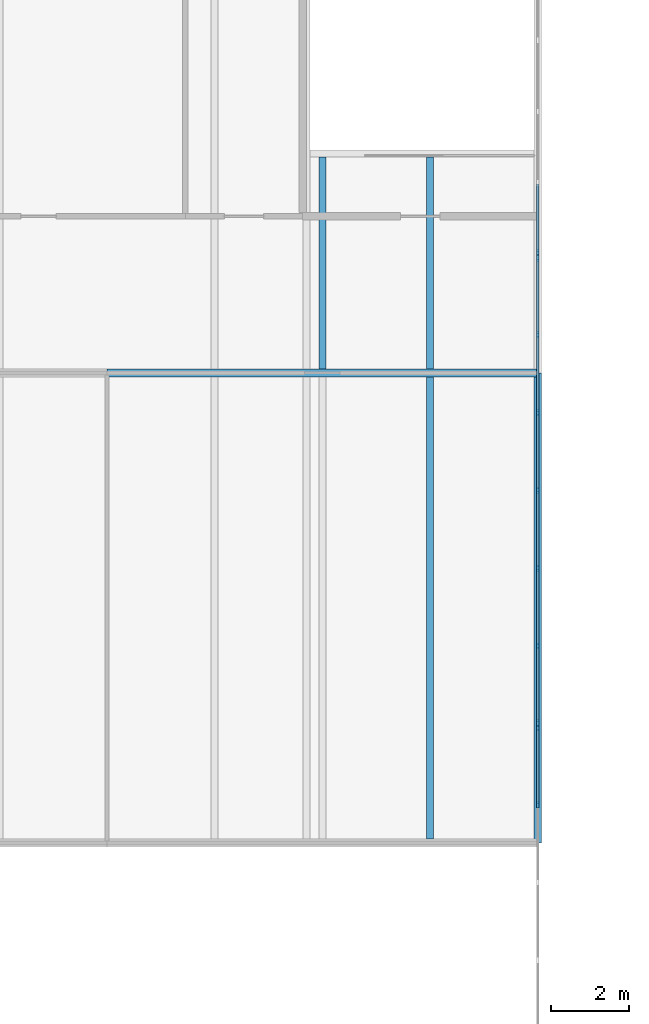
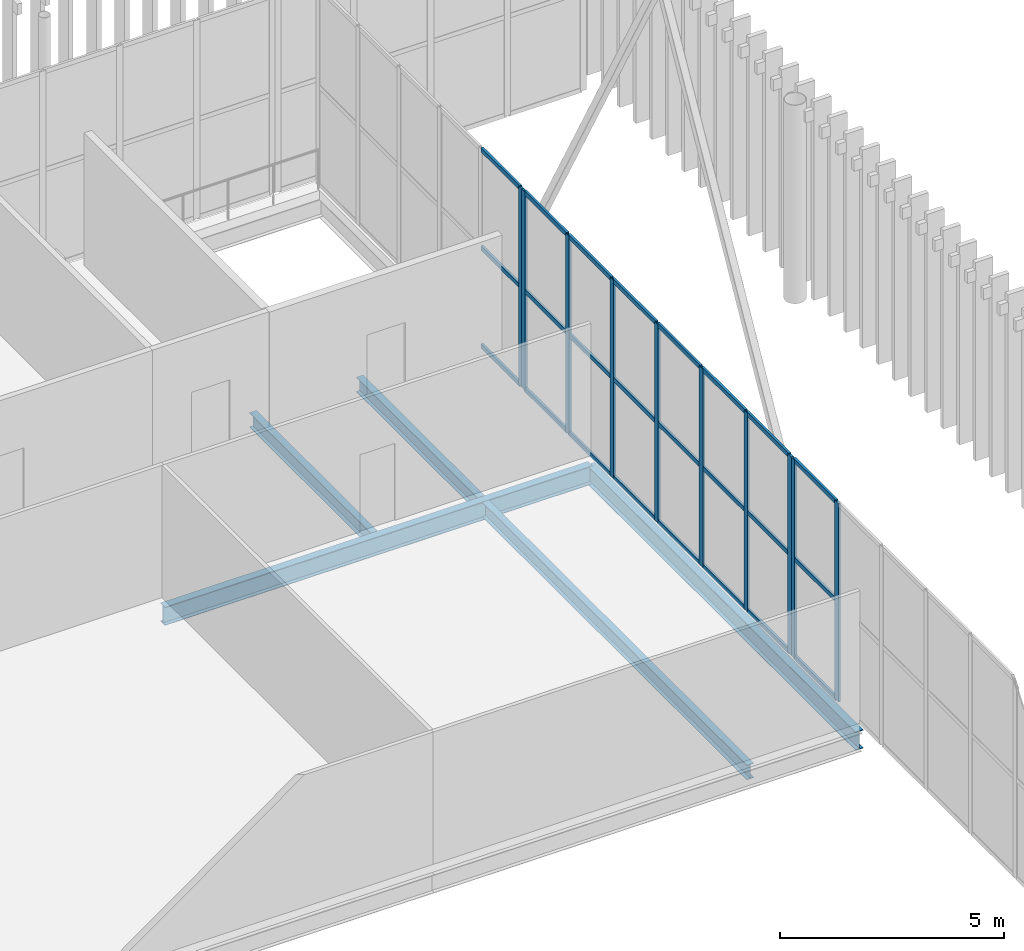
# One storey, part 73 of 170: 34 members, 5 beams, 3 elements without a shape of their own.
"""IFC4 building model written with IfcOpenShell, lengths in metres."""

from ifc_helpers import new_model, si_unit, direction, frame, origin, origin_2d, place, context, subcontext, project, spatial, rectangle, i_section, extrude, material, layer, layer_set, material_profile, profile_set, type_object, element, aggregate, save


model = new_model("IFC4")

# Units and contexts
model_context = context("Model", 3, precision=1e-05, world=origin(), true_north=direction((0.0, 1.0)))
body_context = subcontext(model_context, "Body", "Model", "MODEL_VIEW")
ifc_project = project(units=[si_unit("LENGTHUNIT", "METRE"), si_unit("AREAUNIT", "SQUARE_METRE"), si_unit("VOLUMEUNIT", "CUBIC_METRE"), si_unit("PLANEANGLEUNIT", "RADIAN"), si_unit("MASSUNIT", "GRAM", prefix="KILO")], contexts=[model_context])

# Site, building, storey
site_placement = place(None, origin())
site = spatial("IfcSite", under=ifc_project, at=site_placement, CompositionType="ELEMENT")
building_placement = place(site_placement, origin())
building = spatial("IfcBuilding", under=site, at=building_placement, Name="Ravi Spectrum Wholesale Market", CompositionType="ELEMENT")
storey_placement = place(building_placement, frame((0.0, 0.0, 5.39990234375)))
storey = spatial("IfcBuildingStorey", under=building, at=storey_placement, Name="L01", CompositionType="ELEMENT", Elevation=5.39990234375)

# Beams
ifc_material_1 = material(Name="Steel S355", Category="steel")
ifc_material_profile_1 = material_profile(ifc_material_1, i_section(OverallWidth=0.179931640625, OverallDepth=0.39990234375, WebThickness=0.008544921875, FlangeThickness=0.013427734375, at=origin_2d()))
ifc_profile_set_1 = profile_set([ifc_material_profile_1], Name="Steel S355")
beam_type_1 = type_object("IfcBeamType", Name="IPE 400 beam", PredefinedType="BEAM", material=ifc_profile_set_1)
beam_1_placement = place(storey_placement, frame((97.5, 183.10009765625, -0.449951171875), z_axis=(0.0, 1.0, 0.0), x_axis=(-1.0, 0.0, 0.0)))
element("IfcBeam", 1, at=beam_1_placement, inside=storey, type_object=beam_type_1, Name="H1-BM-L01-066", PredefinedType="BEAM", context=body_context, shape_type="SweptSolid", body=[
    extrude(i_section(OverallWidth=0.179931640625, OverallDepth=0.39990234375, WebThickness=0.008544921875, FlangeThickness=0.013427734375, at=origin_2d()), origin(), (0.0, 0.0, 1.0), 5.409912109375),
])
beam_2_placement = place(storey_placement, frame((100.25, 171.10009765625, -0.449951171875), z_axis=(0.0, 1.0, 0.0), x_axis=(-1.0, 0.0, 0.0)))
element("IfcBeam", 2, at=beam_2_placement, inside=storey, type_object=beam_type_1, Name="H1-BM-L01-067", PredefinedType="BEAM", context=body_context, shape_type="SweptSolid", body=[
    extrude(i_section(OverallWidth=0.179931640625, OverallDepth=0.39990234375, WebThickness=0.008544921875, FlangeThickness=0.013427734375, at=origin_2d()), origin(), (0.0, 0.0, 1.0), 11.7998046875),
])
beam_3_placement = place(storey_placement, frame((100.25, 183.10009765625, -0.449951171875), z_axis=(0.0, 1.0, 0.0), x_axis=(-1.0, 0.0, 0.0)))
element("IfcBeam", 3, at=beam_3_placement, inside=storey, type_object=beam_type_1, Name="H1-BM-L01-068", PredefinedType="BEAM", context=body_context, shape_type="SweptSolid", body=[
    extrude(i_section(OverallWidth=0.179931640625, OverallDepth=0.39990234375, WebThickness=0.008544921875, FlangeThickness=0.013427734375, at=origin_2d()), origin(), (0.0, 0.0, 1.0), 5.409912109375),
])
ifc_material_2 = material(Name="Steel S355", Category="steel")
ifc_material_profile_2 = material_profile(ifc_material_2, i_section(OverallWidth=0.199951171875, OverallDepth=0.5, WebThickness=0.01025390625, FlangeThickness=0.01611328125, at=origin_2d()))
ifc_profile_set_2 = profile_set([ifc_material_profile_2], Name="Steel S355")
beam_type_2 = type_object("IfcBeamType", Name="IPE 500 girder", PredefinedType="BEAM", material=ifc_profile_set_2)
beam_4_placement = place(storey_placement, frame((92.0, 183.0, -0.5), z_axis=(1.0, 0.0, 0.0), x_axis=(0.0, 1.0, 0.0)))
element("IfcBeam", 4, at=beam_4_placement, inside=storey, type_object=beam_type_2, Name="H1-BM-L01-012", PredefinedType="BEAM", context=body_context, shape_type="SweptSolid", body=[
    extrude(i_section(OverallWidth=0.199951171875, OverallDepth=0.5, WebThickness=0.01025390625, FlangeThickness=0.01611328125, at=origin_2d()), origin(), (0.0, 0.0, 1.0), 11.0),
])
beam_5_placement = place(storey_placement, frame((103.0, 171.0, -0.5), z_axis=(0.0, 1.0, 0.0), x_axis=(-1.0, 0.0, 0.0)))
element("IfcBeam", 5, at=beam_5_placement, inside=storey, type_object=beam_type_2, Name="H1-BM-L01-021", PredefinedType="BEAM", context=body_context, shape_type="SweptSolid", body=[
    extrude(i_section(OverallWidth=0.199951171875, OverallDepth=0.5, WebThickness=0.01025390625, FlangeThickness=0.01611328125, at=origin_2d()), origin(), (0.0, 0.0, 1.0), 12.0),
])

# Curtain wall, members
ifc_material_3 = material(Name="Aluminium 6063-T6", Category="aluminium")
ifc_layer = layer(ifc_material_3, 0.14990234375)
ifc_layer_set = layer_set([ifc_layer], Name="Aluminium 6063-T6")
curtain_wall_type = type_object("IfcCurtainWallType", Name="Curtain wall 150", PredefinedType="NOTDEFINED", material=ifc_layer_set)
curtain_wall_1_placement = place(storey_placement, origin())
curtain_wall_1 = element("IfcCurtainWall", 6, at=curtain_wall_1_placement, inside=storey, type_object=curtain_wall_type, Name="H1-CW-L01-026", PredefinedType="NOTDEFINED")
ifc_material_4 = material(Name="Aluminium 6063-T6", Category="aluminium")
ifc_material_profile_3 = material_profile(ifc_material_4, rectangle(XDim=0.06005859375, YDim=0.159912109375, at=origin_2d()))
ifc_profile_set_3 = profile_set([ifc_material_profile_3], Name="Aluminium 6063-T6")
member_type_1 = type_object("IfcMemberType", Name="Mullion 60 x 160", PredefinedType="MULLION", material=ifc_profile_set_3)
member_1_placement = place(storey_placement, frame((103.0, 171.973388671875, 0.0), z_axis=(0.0, 0.0, 1.0), x_axis=(-1.0, 0.0, 0.0)))
member_1 = element("IfcMember", 7, at=member_1_placement, type_object=member_type_1, Name="H1-CW-L01-026 mullion 6", PredefinedType="MULLION", context=body_context, shape_type="SweptSolid", body=[
    extrude(rectangle(XDim=0.06005859375, YDim=0.159912109375, at=origin_2d()), origin(), (0.0, 0.0, 1.0), 5.400146484375),
])
member_2_placement = place(storey_placement, frame((103.0, 173.929931640625, 0.0), z_axis=(0.0, 0.0, 1.0), x_axis=(-1.0, 0.0, 0.0)))
member_2 = element("IfcMember", 8, at=member_2_placement, type_object=member_type_1, Name="H1-CW-L01-026 mullion 7", PredefinedType="MULLION", context=body_context, shape_type="SweptSolid", body=[
    extrude(rectangle(XDim=0.06005859375, YDim=0.159912109375, at=origin_2d()), origin(), (0.0, 0.0, 1.0), 5.400146484375),
])

curtain_wall_2_placement = place(storey_placement, origin())
curtain_wall_2 = element("IfcCurtainWall", 9, at=curtain_wall_2_placement, inside=storey, type_object=curtain_wall_type, Name="H1-CW-L01-027", PredefinedType="NOTDEFINED")
member_3_placement = place(storey_placement, frame((103.0, 174.070068359375, 0.0), z_axis=(0.0, 0.0, 1.0), x_axis=(-1.0, 0.0, 0.0)))
member_3 = element("IfcMember", 10, at=member_3_placement, type_object=member_type_1, Name="H1-CW-L01-027 mullion 1", PredefinedType="MULLION", context=body_context, shape_type="SweptSolid", body=[
    extrude(rectangle(XDim=0.06005859375, YDim=0.159912109375, at=origin_2d()), origin(), (0.0, 0.0, 1.0), 5.400146484375),
])
member_4_placement = place(storey_placement, frame((103.0, 176.026611328125, 0.0), z_axis=(0.0, 0.0, 1.0), x_axis=(-1.0, 0.0, 0.0)))
member_4 = element("IfcMember", 11, at=member_4_placement, type_object=member_type_1, Name="H1-CW-L01-027 mullion 2", PredefinedType="MULLION", context=body_context, shape_type="SweptSolid", body=[
    extrude(rectangle(XDim=0.06005859375, YDim=0.159912109375, at=origin_2d()), origin(), (0.0, 0.0, 1.0), 5.400146484375),
])
member_5_placement = place(storey_placement, frame((103.0, 178.013427734375, 0.0), z_axis=(0.0, 0.0, 1.0), x_axis=(-1.0, 0.0, 0.0)))
member_5 = element("IfcMember", 12, at=member_5_placement, type_object=member_type_1, Name="H1-CW-L01-027 mullion 3", PredefinedType="MULLION", context=body_context, shape_type="SweptSolid", body=[
    extrude(rectangle(XDim=0.06005859375, YDim=0.159912109375, at=origin_2d()), origin(), (0.0, 0.0, 1.0), 5.400146484375),
])
member_6_placement = place(storey_placement, frame((103.0, 180.0, 0.0), z_axis=(0.0, 0.0, 1.0), x_axis=(-1.0, 0.0, 0.0)))
member_6 = element("IfcMember", 13, at=member_6_placement, type_object=member_type_1, Name="H1-CW-L01-027 mullion 4", PredefinedType="MULLION", context=body_context, shape_type="SweptSolid", body=[
    extrude(rectangle(XDim=0.06005859375, YDim=0.159912109375, at=origin_2d()), origin(), (0.0, 0.0, 1.0), 5.400146484375),
])
member_7_placement = place(storey_placement, frame((103.0, 181.986572265625, 0.0), z_axis=(0.0, 0.0, 1.0), x_axis=(-1.0, 0.0, 0.0)))
member_7 = element("IfcMember", 14, at=member_7_placement, type_object=member_type_1, Name="H1-CW-L01-027 mullion 5", PredefinedType="MULLION", context=body_context, shape_type="SweptSolid", body=[
    extrude(rectangle(XDim=0.06005859375, YDim=0.159912109375, at=origin_2d()), origin(), (0.0, 0.0, 1.0), 5.400146484375),
])
member_8_placement = place(storey_placement, frame((103.0, 183.973388671875, 0.0), z_axis=(0.0, 0.0, 1.0), x_axis=(-1.0, 0.0, 0.0)))
member_8 = element("IfcMember", 15, at=member_8_placement, type_object=member_type_1, Name="H1-CW-L01-027 mullion 6", PredefinedType="MULLION", context=body_context, shape_type="SweptSolid", body=[
    extrude(rectangle(XDim=0.06005859375, YDim=0.159912109375, at=origin_2d()), origin(), (0.0, 0.0, 1.0), 5.400146484375),
])
member_9_placement = place(storey_placement, frame((103.0, 185.929931640625, 0.0), z_axis=(0.0, 0.0, 1.0), x_axis=(-1.0, 0.0, 0.0)))
member_9 = element("IfcMember", 16, at=member_9_placement, type_object=member_type_1, Name="H1-CW-L01-027 mullion 7", PredefinedType="MULLION", context=body_context, shape_type="SweptSolid", body=[
    extrude(rectangle(XDim=0.06005859375, YDim=0.159912109375, at=origin_2d()), origin(), (0.0, 0.0, 1.0), 5.400146484375),
])

# Curtain wall, member
curtain_wall_3_placement = place(storey_placement, origin())
curtain_wall_3 = element("IfcCurtainWall", 17, at=curtain_wall_3_placement, inside=storey, type_object=curtain_wall_type, Name="H1-CW-L01-028", PredefinedType="NOTDEFINED")
member_10_placement = place(storey_placement, frame((103.0, 186.070068359375, 0.0), z_axis=(0.0, 0.0, 1.0), x_axis=(-1.0, 0.0, 0.0)))
member_10 = element("IfcMember", 18, at=member_10_placement, type_object=member_type_1, Name="H1-CW-L01-028 mullion 1", PredefinedType="MULLION", context=body_context, shape_type="SweptSolid", body=[
    extrude(rectangle(XDim=0.06005859375, YDim=0.159912109375, at=origin_2d()), origin(), (0.0, 0.0, 1.0), 5.400146484375),
])

# Member
ifc_material_5 = material(Name="Aluminium 6063-T6", Category="aluminium")
ifc_material_profile_4 = material_profile(ifc_material_5, rectangle(XDim=0.06005859375, YDim=0.1201171875, at=origin_2d()))
ifc_profile_set_4 = profile_set([ifc_material_profile_4], Name="Aluminium 6063-T6")
member_type_2 = type_object("IfcMemberType", Name="Transom 60 x 120", PredefinedType="USERDEFINED", material=ifc_profile_set_4)
member_11_placement = place(storey_placement, frame((103.0, 172.00341796875, 0.030029296875), z_axis=(0.0, 1.0, 0.0), x_axis=(-1.0, 0.0, 0.0)))
member_11 = element("IfcMember", 19, at=member_11_placement, type_object=member_type_2, Name="H1-CW-L01-026 transom 6.1", ObjectType="TRANSOM", PredefinedType="USERDEFINED", context=body_context, shape_type="SweptSolid", body=[
    extrude(rectangle(XDim=0.06005859375, YDim=0.1201171875, at=origin_2d()), origin(), (0.0, 0.0, 1.0), 1.896484375),
])

member_12_placement = place(storey_placement, frame((103.0, 172.00341796875, 2.7001953125), z_axis=(0.0, 1.0, 0.0), x_axis=(-1.0, 0.0, 0.0)))
member_12 = element("IfcMember", 20, at=member_12_placement, type_object=member_type_2, Name="H1-CW-L01-026 transom 6.2", ObjectType="TRANSOM", PredefinedType="USERDEFINED", context=body_context, shape_type="SweptSolid", body=[
    extrude(rectangle(XDim=0.06005859375, YDim=0.1201171875, at=origin_2d()), origin(), (0.0, 0.0, 1.0), 1.896484375),
])

member_13_placement = place(storey_placement, frame((103.0, 172.00341796875, 5.3701171875), z_axis=(0.0, 1.0, 0.0), x_axis=(-1.0, 0.0, 0.0)))
member_13 = element("IfcMember", 21, at=member_13_placement, type_object=member_type_2, Name="H1-CW-L01-026 transom 6.3", ObjectType="TRANSOM", PredefinedType="USERDEFINED", context=body_context, shape_type="SweptSolid", body=[
    extrude(rectangle(XDim=0.06005859375, YDim=0.1201171875, at=origin_2d()), origin(), (0.0, 0.0, 1.0), 1.896484375),
])

aggregate(curtain_wall_1, [member_1, member_2, member_11, member_12, member_13])

member_14_placement = place(storey_placement, frame((103.0, 174.10009765625, 0.030029296875), z_axis=(0.0, 1.0, 0.0), x_axis=(-1.0, 0.0, 0.0)))
member_14 = element("IfcMember", 22, at=member_14_placement, type_object=member_type_2, Name="H1-CW-L01-027 transom 1.1", ObjectType="TRANSOM", PredefinedType="USERDEFINED", context=body_context, shape_type="SweptSolid", body=[
    extrude(rectangle(XDim=0.06005859375, YDim=0.1201171875, at=origin_2d()), origin(), (0.0, 0.0, 1.0), 1.896484375),
])

member_15_placement = place(storey_placement, frame((103.0, 174.10009765625, 2.7001953125), z_axis=(0.0, 1.0, 0.0), x_axis=(-1.0, 0.0, 0.0)))
member_15 = element("IfcMember", 23, at=member_15_placement, type_object=member_type_2, Name="H1-CW-L01-027 transom 1.2", ObjectType="TRANSOM", PredefinedType="USERDEFINED", context=body_context, shape_type="SweptSolid", body=[
    extrude(rectangle(XDim=0.06005859375, YDim=0.1201171875, at=origin_2d()), origin(), (0.0, 0.0, 1.0), 1.896484375),
])

member_16_placement = place(storey_placement, frame((103.0, 174.10009765625, 5.3701171875), z_axis=(0.0, 1.0, 0.0), x_axis=(-1.0, 0.0, 0.0)))
member_16 = element("IfcMember", 24, at=member_16_placement, type_object=member_type_2, Name="H1-CW-L01-027 transom 1.3", ObjectType="TRANSOM", PredefinedType="USERDEFINED", context=body_context, shape_type="SweptSolid", body=[
    extrude(rectangle(XDim=0.06005859375, YDim=0.1201171875, at=origin_2d()), origin(), (0.0, 0.0, 1.0), 1.896484375),
])

member_17_placement = place(storey_placement, frame((103.0, 176.056640625, 0.030029296875), z_axis=(0.0, 1.0, 0.0), x_axis=(-1.0, 0.0, 0.0)))
member_17 = element("IfcMember", 25, at=member_17_placement, type_object=member_type_2, Name="H1-CW-L01-027 transom 2.1", ObjectType="TRANSOM", PredefinedType="USERDEFINED", context=body_context, shape_type="SweptSolid", body=[
    extrude(rectangle(XDim=0.06005859375, YDim=0.1201171875, at=origin_2d()), origin(), (0.0, 0.0, 1.0), 1.9267578125),
])

member_18_placement = place(storey_placement, frame((103.0, 176.056640625, 2.7001953125), z_axis=(0.0, 1.0, 0.0), x_axis=(-1.0, 0.0, 0.0)))
member_18 = element("IfcMember", 26, at=member_18_placement, type_object=member_type_2, Name="H1-CW-L01-027 transom 2.2", ObjectType="TRANSOM", PredefinedType="USERDEFINED", context=body_context, shape_type="SweptSolid", body=[
    extrude(rectangle(XDim=0.06005859375, YDim=0.1201171875, at=origin_2d()), origin(), (0.0, 0.0, 1.0), 1.9267578125),
])

member_19_placement = place(storey_placement, frame((103.0, 176.056640625, 5.3701171875), z_axis=(0.0, 1.0, 0.0), x_axis=(-1.0, 0.0, 0.0)))
member_19 = element("IfcMember", 27, at=member_19_placement, type_object=member_type_2, Name="H1-CW-L01-027 transom 2.3", ObjectType="TRANSOM", PredefinedType="USERDEFINED", context=body_context, shape_type="SweptSolid", body=[
    extrude(rectangle(XDim=0.06005859375, YDim=0.1201171875, at=origin_2d()), origin(), (0.0, 0.0, 1.0), 1.9267578125),
])

member_20_placement = place(storey_placement, frame((103.0, 178.043212890625, 0.030029296875), z_axis=(0.0, 1.0, 0.0), x_axis=(-1.0, 0.0, 0.0)))
member_20 = element("IfcMember", 28, at=member_20_placement, type_object=member_type_2, Name="H1-CW-L01-027 transom 3.1", ObjectType="TRANSOM", PredefinedType="USERDEFINED", context=body_context, shape_type="SweptSolid", body=[
    extrude(rectangle(XDim=0.06005859375, YDim=0.1201171875, at=origin_2d()), origin(), (0.0, 0.0, 1.0), 1.9267578125),
])

member_21_placement = place(storey_placement, frame((103.0, 178.043212890625, 2.7001953125), z_axis=(0.0, 1.0, 0.0), x_axis=(-1.0, 0.0, 0.0)))
member_21 = element("IfcMember", 29, at=member_21_placement, type_object=member_type_2, Name="H1-CW-L01-027 transom 3.2", ObjectType="TRANSOM", PredefinedType="USERDEFINED", context=body_context, shape_type="SweptSolid", body=[
    extrude(rectangle(XDim=0.06005859375, YDim=0.1201171875, at=origin_2d()), origin(), (0.0, 0.0, 1.0), 1.9267578125),
])

member_22_placement = place(storey_placement, frame((103.0, 178.043212890625, 5.3701171875), z_axis=(0.0, 1.0, 0.0), x_axis=(-1.0, 0.0, 0.0)))
member_22 = element("IfcMember", 30, at=member_22_placement, type_object=member_type_2, Name="H1-CW-L01-027 transom 3.3", ObjectType="TRANSOM", PredefinedType="USERDEFINED", context=body_context, shape_type="SweptSolid", body=[
    extrude(rectangle(XDim=0.06005859375, YDim=0.1201171875, at=origin_2d()), origin(), (0.0, 0.0, 1.0), 1.9267578125),
])

member_23_placement = place(storey_placement, frame((103.0, 180.030029296875, 0.030029296875), z_axis=(0.0, 1.0, 0.0), x_axis=(-1.0, 0.0, 0.0)))
member_23 = element("IfcMember", 31, at=member_23_placement, type_object=member_type_2, Name="H1-CW-L01-027 transom 4.1", ObjectType="TRANSOM", PredefinedType="USERDEFINED", context=body_context, shape_type="SweptSolid", body=[
    extrude(rectangle(XDim=0.06005859375, YDim=0.1201171875, at=origin_2d()), origin(), (0.0, 0.0, 1.0), 1.9267578125),
])

member_24_placement = place(storey_placement, frame((103.0, 180.030029296875, 2.7001953125), z_axis=(0.0, 1.0, 0.0), x_axis=(-1.0, 0.0, 0.0)))
member_24 = element("IfcMember", 32, at=member_24_placement, type_object=member_type_2, Name="H1-CW-L01-027 transom 4.2", ObjectType="TRANSOM", PredefinedType="USERDEFINED", context=body_context, shape_type="SweptSolid", body=[
    extrude(rectangle(XDim=0.06005859375, YDim=0.1201171875, at=origin_2d()), origin(), (0.0, 0.0, 1.0), 1.9267578125),
])

member_25_placement = place(storey_placement, frame((103.0, 180.030029296875, 5.3701171875), z_axis=(0.0, 1.0, 0.0), x_axis=(-1.0, 0.0, 0.0)))
member_25 = element("IfcMember", 33, at=member_25_placement, type_object=member_type_2, Name="H1-CW-L01-027 transom 4.3", ObjectType="TRANSOM", PredefinedType="USERDEFINED", context=body_context, shape_type="SweptSolid", body=[
    extrude(rectangle(XDim=0.06005859375, YDim=0.1201171875, at=origin_2d()), origin(), (0.0, 0.0, 1.0), 1.9267578125),
])

member_26_placement = place(storey_placement, frame((103.0, 182.0166015625, 0.030029296875), z_axis=(0.0, 1.0, 0.0), x_axis=(-1.0, 0.0, 0.0)))
member_26 = element("IfcMember", 34, at=member_26_placement, type_object=member_type_2, Name="H1-CW-L01-027 transom 5.1", ObjectType="TRANSOM", PredefinedType="USERDEFINED", context=body_context, shape_type="SweptSolid", body=[
    extrude(rectangle(XDim=0.06005859375, YDim=0.1201171875, at=origin_2d()), origin(), (0.0, 0.0, 1.0), 1.9267578125),
])

member_27_placement = place(storey_placement, frame((103.0, 182.0166015625, 2.7001953125), z_axis=(0.0, 1.0, 0.0), x_axis=(-1.0, 0.0, 0.0)))
member_27 = element("IfcMember", 35, at=member_27_placement, type_object=member_type_2, Name="H1-CW-L01-027 transom 5.2", ObjectType="TRANSOM", PredefinedType="USERDEFINED", context=body_context, shape_type="SweptSolid", body=[
    extrude(rectangle(XDim=0.06005859375, YDim=0.1201171875, at=origin_2d()), origin(), (0.0, 0.0, 1.0), 1.9267578125),
])

member_28_placement = place(storey_placement, frame((103.0, 182.0166015625, 5.3701171875), z_axis=(0.0, 1.0, 0.0), x_axis=(-1.0, 0.0, 0.0)))
member_28 = element("IfcMember", 36, at=member_28_placement, type_object=member_type_2, Name="H1-CW-L01-027 transom 5.3", ObjectType="TRANSOM", PredefinedType="USERDEFINED", context=body_context, shape_type="SweptSolid", body=[
    extrude(rectangle(XDim=0.06005859375, YDim=0.1201171875, at=origin_2d()), origin(), (0.0, 0.0, 1.0), 1.9267578125),
])

member_29_placement = place(storey_placement, frame((103.0, 184.00341796875, 0.030029296875), z_axis=(0.0, 1.0, 0.0), x_axis=(-1.0, 0.0, 0.0)))
member_29 = element("IfcMember", 37, at=member_29_placement, type_object=member_type_2, Name="H1-CW-L01-027 transom 6.1", ObjectType="TRANSOM", PredefinedType="USERDEFINED", context=body_context, shape_type="SweptSolid", body=[
    extrude(rectangle(XDim=0.06005859375, YDim=0.1201171875, at=origin_2d()), origin(), (0.0, 0.0, 1.0), 1.896484375),
])

member_30_placement = place(storey_placement, frame((103.0, 184.00341796875, 2.7001953125), z_axis=(0.0, 1.0, 0.0), x_axis=(-1.0, 0.0, 0.0)))
member_30 = element("IfcMember", 38, at=member_30_placement, type_object=member_type_2, Name="H1-CW-L01-027 transom 6.2", ObjectType="TRANSOM", PredefinedType="USERDEFINED", context=body_context, shape_type="SweptSolid", body=[
    extrude(rectangle(XDim=0.06005859375, YDim=0.1201171875, at=origin_2d()), origin(), (0.0, 0.0, 1.0), 1.896484375),
])

member_31_placement = place(storey_placement, frame((103.0, 184.00341796875, 5.3701171875), z_axis=(0.0, 1.0, 0.0), x_axis=(-1.0, 0.0, 0.0)))
member_31 = element("IfcMember", 39, at=member_31_placement, type_object=member_type_2, Name="H1-CW-L01-027 transom 6.3", ObjectType="TRANSOM", PredefinedType="USERDEFINED", context=body_context, shape_type="SweptSolid", body=[
    extrude(rectangle(XDim=0.06005859375, YDim=0.1201171875, at=origin_2d()), origin(), (0.0, 0.0, 1.0), 1.896484375),
])

aggregate(curtain_wall_2, [member_3, member_4, member_5, member_6, member_7, member_8, member_9, member_14, member_15, member_16, member_17, member_18, member_19, member_20, member_21, member_22, member_23, member_24, member_25, member_26, member_27, member_28, member_29, member_30, member_31])

member_32_placement = place(storey_placement, frame((103.0, 186.10009765625, 0.030029296875), z_axis=(0.0, 1.0, 0.0), x_axis=(-1.0, 0.0, 0.0)))
member_32 = element("IfcMember", 40, at=member_32_placement, type_object=member_type_2, Name="H1-CW-L01-028 transom 1.1", ObjectType="TRANSOM", PredefinedType="USERDEFINED", context=body_context, shape_type="SweptSolid", body=[
    extrude(rectangle(XDim=0.06005859375, YDim=0.1201171875, at=origin_2d()), origin(), (0.0, 0.0, 1.0), 1.727783203125),
])

member_33_placement = place(storey_placement, frame((103.0, 186.10009765625, 2.7001953125), z_axis=(0.0, 1.0, 0.0), x_axis=(-1.0, 0.0, 0.0)))
member_33 = element("IfcMember", 41, at=member_33_placement, type_object=member_type_2, Name="H1-CW-L01-028 transom 1.2", ObjectType="TRANSOM", PredefinedType="USERDEFINED", context=body_context, shape_type="SweptSolid", body=[
    extrude(rectangle(XDim=0.06005859375, YDim=0.1201171875, at=origin_2d()), origin(), (0.0, 0.0, 1.0), 1.727783203125),
])

member_34_placement = place(storey_placement, frame((103.0, 186.10009765625, 5.3701171875), z_axis=(0.0, 1.0, 0.0), x_axis=(-1.0, 0.0, 0.0)))
member_34 = element("IfcMember", 42, at=member_34_placement, type_object=member_type_2, Name="H1-CW-L01-028 transom 1.3", ObjectType="TRANSOM", PredefinedType="USERDEFINED", context=body_context, shape_type="SweptSolid", body=[
    extrude(rectangle(XDim=0.06005859375, YDim=0.1201171875, at=origin_2d()), origin(), (0.0, 0.0, 1.0), 1.727783203125),
])

aggregate(curtain_wall_3, [member_10, member_32, member_33, member_34])

save(model, "model.ifc")
